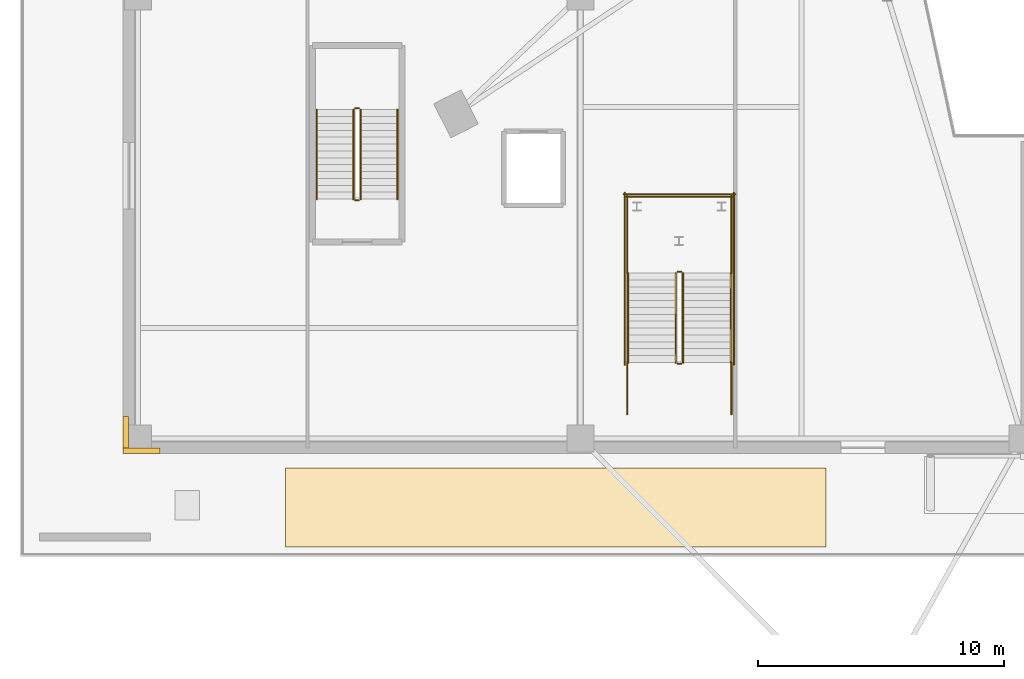
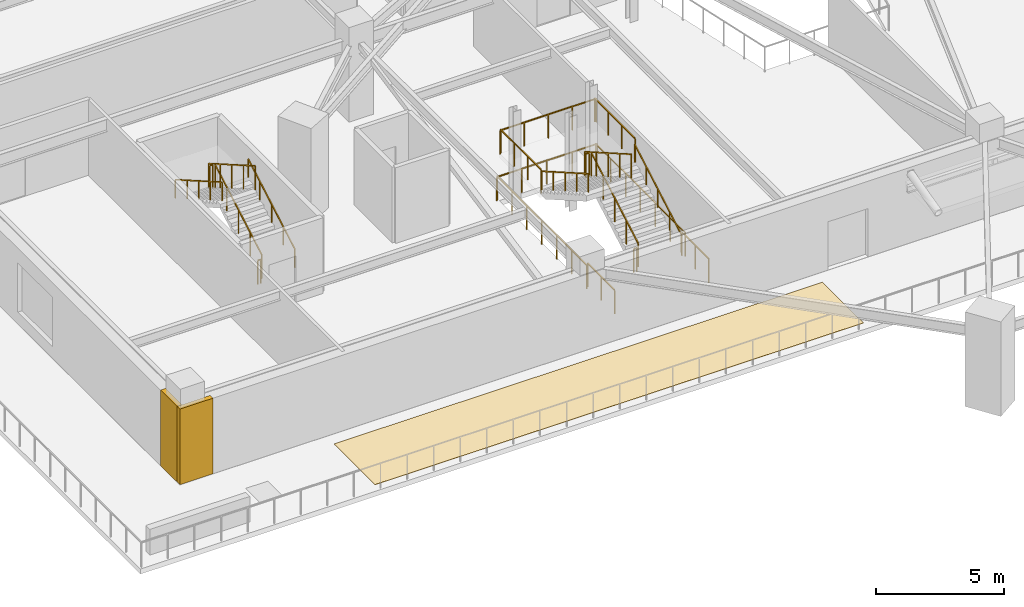
# One storey, part 13 of 19: 20 railings, 3 coverings.
"""IFC4 building model written with IfcOpenShell, lengths in metres."""

import ifcopenshell
import ifcopenshell.guid

model = None  # the IFC model being written
_history = None  # IfcOwnerHistory: only IFC2X3 demands one
_inside = {}  # id of a spatial element -> (the spatial element, [elements in it])
_under = {}  # id of a project, library or spatial element -> (it, [spatial elements below it])
_declared = {}  # id of a project -> (the project, [libraries it declares])
_typed = {}  # id of a type object -> (the type object, [elements of that type])
_made_of = {}  # id of a material, layer set ... -> (it, [elements and type objects made of it])


def new_model(schema):
    """Start an empty IFC model of exactly this schema.

    Asked for "IFC4X3", IfcOpenShell would pick the latest addendum, in which some entities
    have other attributes; the version numbers below select the first issue.
    IFC2X3 requires an IfcOwnerHistory on every rooted entity: one is made here for all.
    """
    global model, _history
    if schema == "IFC4X3":
        model = ifcopenshell.file(schema_version=(4, 3, 0, 0))
    else:
        model = ifcopenshell.file(schema=schema)
    _inside.clear()
    _under.clear()
    _declared.clear()
    _typed.clear()
    _made_of.clear()
    _history = None
    if model.schema == "IFC2X3":
        org = make("IfcOrganization", Name="unknown")
        user = make(
            "IfcPersonAndOrganization",
            ThePerson=make("IfcPerson", FamilyName="unknown"),
            TheOrganization=org,
        )
        app = make(
            "IfcApplication",
            ApplicationDeveloper=org,
            Version="unknown",
            ApplicationFullName="unknown",
            ApplicationIdentifier="unknown",
        )
        _history = make(
            "IfcOwnerHistory",
            OwningUser=user,
            OwningApplication=app,
            ChangeAction="ADDED",
            CreationDate=0,
        )
    return model


def make(cls, **values):
    """One entity of the class cls with the attributes given. An attribute that is None is left unset."""
    return model.create_entity(
        cls, **{name: value for name, value in values.items() if value is not None}
    )


def rooted(cls, **values):
    """An entity with a GlobalId (a new one), such as an element, a storey or a relation."""
    return make(cls, GlobalId=ifcopenshell.guid.new(), OwnerHistory=_history, **values)


def si_unit(unit_type, name, prefix=None):
    """IfcSIUnit, for example si_unit("LENGTHUNIT", "METRE", prefix="MILLI")."""
    return make("IfcSIUnit", UnitType=unit_type, Prefix=prefix, Name=name)


def assignment(units):
    """IfcUnitAssignment: the units of a project."""
    return None if units is None else make("IfcUnitAssignment", Units=units)


def point(xyz):
    """IfcCartesianPoint."""
    return None if xyz is None else make("IfcCartesianPoint", Coordinates=xyz)


def direction(xyz):
    """IfcDirection."""
    return None if xyz is None else make("IfcDirection", DirectionRatios=xyz)


def frame(location, z_axis=None, x_axis=None):
    """IfcAxis2Placement3D, a coordinate frame: its origin and axes. An axis left out is left unset."""
    return make(
        "IfcAxis2Placement3D",
        Location=point(location),
        Axis=direction(z_axis),
        RefDirection=direction(x_axis),
    )


def frame_2d(location, x_axis=None):
    """IfcAxis2Placement2D, a coordinate frame in the plane: its origin and x axis."""
    return make(
        "IfcAxis2Placement2D", Location=point(location), RefDirection=direction(x_axis)
    )


def origin():
    """The frame at (0, 0, 0) with its axes left unset."""
    return frame((0.0, 0.0, 0.0))


def origin_2d():
    """The frame at (0, 0) in the plane with its x axis left unset."""
    return frame_2d((0.0, 0.0))


def place(relative_to, where):
    """IfcLocalPlacement: puts the frame where relative to a parent placement (None: the world)."""
    return make(
        "IfcLocalPlacement", PlacementRelTo=relative_to, RelativePlacement=where
    )


def context(
    kind, dimensions, precision=None, world=None, true_north=None, identifier=None
):
    """IfcGeometricRepresentationContext, for example the 3D "Model" context."""
    return make(
        "IfcGeometricRepresentationContext",
        ContextIdentifier=identifier,
        ContextType=kind,
        CoordinateSpaceDimension=dimensions,
        Precision=precision,
        WorldCoordinateSystem=world,
        TrueNorth=true_north,
    )


def subcontext(parent, identifier, kind, view, scale=None):
    """IfcGeometricRepresentationSubContext, for example "Body" below "Model"."""
    return make(
        "IfcGeometricRepresentationSubContext",
        ContextIdentifier=identifier,
        ContextType=kind,
        ParentContext=parent,
        TargetScale=scale,
        TargetView=view,
    )


def project(units=None, contexts=None):
    """IfcProject with its units and contexts."""
    return rooted(
        "IfcProject",
        Name="project",
        RepresentationContexts=contexts,
        UnitsInContext=assignment(units),
    )


def spatial(cls, under=None, at=None, **own):
    """A site, building, storey or space (cls), placed at a placement, below another one or the project."""
    s = rooted(cls, ObjectPlacement=at, **own)
    if under is not None:
        _under.setdefault(under.id(), (under, []))[1].append(s)
    return s


def polyline(points):
    """IfcPolyline through the points."""
    return make("IfcPolyline", Points=[point(p) for p in points])


def profile(cls, at=None, kind="AREA", **sizes):
    """A parametric profile (cls). Its sizes go by their IFC names, for example OverallWidth=200.0."""
    return make(cls, ProfileType=kind, Position=at, **sizes)


def rectangle(**sizes):
    """IfcRectangleProfileDef."""
    return profile("IfcRectangleProfileDef", **sizes)


def outline(outer, holes=None, kind="AREA"):
    """IfcArbitraryClosedProfileDef: a profile drawn as a closed curve; with holes, ...WithVoids."""
    if holes is None:
        return make("IfcArbitraryClosedProfileDef", ProfileType=kind, OuterCurve=outer)
    return make(
        "IfcArbitraryProfileDefWithVoids",
        ProfileType=kind,
        OuterCurve=outer,
        InnerCurves=holes,
    )


def extrude(swept, where, along, depth):
    """IfcExtrudedAreaSolid: the profile swept, set in the frame where, extruded along a direction by depth."""
    return make(
        "IfcExtrudedAreaSolid",
        SweptArea=swept,
        Position=where,
        ExtrudedDirection=direction(along),
        Depth=depth,
    )


def shape(context_of_items, identifier, shape_type, items):
    """IfcShapeRepresentation: the items that make up one representation, for example the "Body"."""
    return make(
        "IfcShapeRepresentation",
        ContextOfItems=context_of_items,
        RepresentationIdentifier=identifier,
        RepresentationType=shape_type,
        Items=items,
    )


def source(mapping_origin, context_of_items, identifier, shape_type, items):
    """IfcRepresentationMap: a shape defined once, which mapped items show again and again."""
    return make(
        "IfcRepresentationMap",
        MappingOrigin=mapping_origin,
        MappedRepresentation=shape(context_of_items, identifier, shape_type, items),
    )


def transform(
    local_origin,
    x_axis=None,
    y_axis=None,
    z_axis=None,
    scale=None,
    scale2=None,
    scale3=None,
    uniform=True,
):
    """IfcCartesianTransformationOperator3D, or its non-uniform kind. x_axis, y_axis, z_axis: its Axis1, 2, 3."""
    if uniform:
        return make(
            "IfcCartesianTransformationOperator3D",
            Axis1=direction(x_axis),
            Axis2=direction(y_axis),
            LocalOrigin=point(local_origin),
            Scale=scale,
            Axis3=direction(z_axis),
        )
    return make(
        "IfcCartesianTransformationOperator3DnonUniform",
        Axis1=direction(x_axis),
        Axis2=direction(y_axis),
        LocalOrigin=point(local_origin),
        Scale=scale,
        Axis3=direction(z_axis),
        Scale2=scale2,
        Scale3=scale3,
    )


def mapped(mapping_source, mapping_target):
    """IfcMappedItem: shows the shape of a source again, moved by a transform."""
    return make(
        "IfcMappedItem", MappingSource=mapping_source, MappingTarget=mapping_target
    )


def material(Name=None, Category=None):
    """IfcMaterial."""
    return make("IfcMaterial", Name=Name, Category=Category)


def layer(
    of_material, thickness, ventilated=None, Name=None, Category=None, Priority=None
):
    """IfcMaterialLayer: one layer of a wall or slab, of a material (None: an air gap)."""
    return make(
        "IfcMaterialLayer",
        Material=of_material,
        LayerThickness=thickness,
        IsVentilated=ventilated,
        Name=Name,
        Category=Category,
        Priority=Priority,
    )


def layer_set(layers, Name=None):
    """IfcMaterialLayerSet."""
    return make("IfcMaterialLayerSet", MaterialLayers=layers, LayerSetName=Name)


def made_of(thing, what):
    """Note that an element or type object is made of a material, layer set ...; save() writes the relation."""
    if what is not None:
        _made_of.setdefault(what.id(), (what, []))[1].append(thing)
    return thing


def type_object(cls, material=None, **own):
    """A type object (cls), such as IfcWallType, which elements share."""
    return made_of(rooted(cls, **own), material)


def element(
    cls,
    number,
    at=None,
    inside=None,
    cuts=None,
    type_object=None,
    material=None,
    context=None,
    identifier="Body",
    shape_type=None,
    held_by="IfcProductDefinitionShape",
    body=None,
    shapes=None,
    **own,
):
    """One element of the class cls, such as IfcWall. Its Tag is "e" and its number.

    at: its placement. inside: the storey or other place that contains it. cuts: it is an
    opening in that element (IfcRelVoidsElement). A single representation is given by context,
    identifier, shape_type and body (its items); several are given by shapes. held_by: the class
    of the entity that holds the representations. save() writes the other relations.
    """
    e = rooted(cls, Tag="e%d" % number, ObjectPlacement=at, **own)
    if body is not None:
        shapes = [shape(context, identifier, shape_type, body)]
    if shapes is not None:
        e.Representation = make(held_by, Representations=shapes)
    if inside is not None:
        _inside.setdefault(inside.id(), (inside, []))[1].append(e)
    if cuts is not None:
        rooted(
            "IfcRelVoidsElement", RelatingBuildingElement=cuts, RelatedOpeningElement=e
        )
    if type_object is not None:
        _typed.setdefault(type_object.id(), (type_object, []))[1].append(e)
    return made_of(e, material)


def aggregate(whole, parts):
    """IfcRelAggregates: a whole, such as a stair, and the parts it consists of."""
    return rooted("IfcRelAggregates", RelatingObject=whole, RelatedObjects=parts)


def save(model, path):
    """Write the relations noted so far, then the file.

    IfcRelAggregates (storeys below a building ...), IfcRelContainedInSpatialStructure (elements
    in a storey), IfcRelDefinesByType, IfcRelAssociatesMaterial and IfcRelDeclares: one each for
    every whole, place, type object, material and project.
    """
    for whole, parts in _under.values():
        aggregate(whole, parts)
    for where, things in _inside.values():
        rooted(
            "IfcRelContainedInSpatialStructure",
            RelatedElements=things,
            RelatingStructure=where,
        )
    for kind, things in _typed.values():
        rooted("IfcRelDefinesByType", RelatedObjects=things, RelatingType=kind)
    for what, things in _made_of.values():
        rooted("IfcRelAssociatesMaterial", RelatedObjects=things, RelatingMaterial=what)
    for by, libraries in _declared.values():
        rooted("IfcRelDeclares", RelatingContext=by, RelatedDefinitions=libraries)
    model.write(path)


model = new_model("IFC4")

# Units and contexts
model_context = context("Model", 3, precision=1e-05, world=origin(), true_north=direction((0.0, 1.0)))
body_context = subcontext(model_context, "Body", "Model", "MODEL_VIEW")
ifc_project = project(units=[si_unit("LENGTHUNIT", "METRE"), si_unit("AREAUNIT", "SQUARE_METRE"), si_unit("VOLUMEUNIT", "CUBIC_METRE"), si_unit("PLANEANGLEUNIT", "RADIAN"), si_unit("MASSUNIT", "GRAM", prefix="KILO")], contexts=[model_context])

# Site, building, storey
site_placement = place(None, origin())
site = spatial("IfcSite", under=ifc_project, at=site_placement, CompositionType="ELEMENT")
building_placement = place(site_placement, origin())
building = spatial("IfcBuilding", under=site, at=building_placement, Name="Liaohun Quay Tower", CompositionType="ELEMENT")
storey_placement = place(building_placement, frame((0.0, 0.0, 18.89990234375)))
storey = spatial("IfcBuildingStorey", under=building, at=storey_placement, Name="L05", CompositionType="ELEMENT", Elevation=18.89990234375)

# Covering
ifc_material_1 = material(Name="SBS waterproof membrane and extruded polystyrene insulation")
ifc_layer_1 = layer(ifc_material_1, 0.030029296875, Name="SBS waterproof membrane and extruded polystyrene insulation")
ifc_layer_set_1 = layer_set([ifc_layer_1], Name="SBS waterproof membrane and extruded polystyrene insulation")
covering_type_1 = type_object("IfcCoveringType", Name="COV-ROOF-MEM", PredefinedType="ROOFING", material=ifc_layer_set_1)
covering_1_placement = place(storey_placement, frame((0.0, 0.0, -0.02978515625)))
element("IfcCovering", 1, at=covering_1_placement, inside=storey, type_object=covering_type_1, Name="L05 Terrace SBS Waterproofing Membrane", PredefinedType="ROOFING", context=body_context, shape_type="SweptSolid", body=[
    extrude(outline(polyline([(30.0, 19.60009765625), (52.0, 19.60009765625), (52.0, 22.800048828125), (30.0, 22.800048828125), (30.0, 19.60009765625)])), origin(), (0.0, 0.0, 1.0), 0.02978515625),
])

# Railings
ifc_material_2 = material(Name="Laminated safety glass and stainless steel", Category="steel")
railing_type_1 = type_object("IfcRailingType", Name="RLG-GUARD-ATR", PredefinedType="BALUSTRADE", material=ifc_material_2)
railing_1_placement = place(storey_placement, frame((46.179931640625, 27.10009765625, 0.160888671875)))
element("IfcRailing", 2, at=railing_1_placement, inside=storey, type_object=railing_type_1, Name="L05 ST-A stair guard 1", PredefinedType="BALUSTRADE", context=body_context, shape_type="SweptSolid", body=[
    extrude(rectangle(XDim=0.048095703125, YDim=0.048095703125, at=origin_2d()), frame((0.0, 0.0, 1.1259765625), z_axis=(0.0, 0.867300072446, 0.497785681127), x_axis=(-1.0, 0.0, 0.0)), (0.0, 0.0, 1.0), 4.19677734375),
    extrude(rectangle(XDim=0.0419921875, YDim=0.0419921875, at=origin_2d()), origin(), (0.0, 0.0, 1.0), 1.101806640625),
    extrude(rectangle(XDim=0.0419921875, YDim=0.0419921875, at=origin_2d()), frame((0.0, 0.909912109375, 0.522216796875)), (0.0, 0.0, 1.0), 1.101806640625),
    extrude(rectangle(XDim=0.0419921875, YDim=0.0419921875, at=origin_2d()), frame((0.0, 1.81982421875, 1.04443359375)), (0.0, 0.0, 1.0), 1.101806640625),
    extrude(rectangle(XDim=0.0419921875, YDim=0.0419921875, at=origin_2d()), frame((0.0, 2.72998046875, 1.56689453125)), (0.0, 0.0, 1.0), 1.101806640625),
    extrude(rectangle(XDim=0.0419921875, YDim=0.0419921875, at=origin_2d()), frame((0.0, 3.639892578125, 2.089111328125)), (0.0, 0.0, 1.0), 1.101806640625),
])
railing_2_placement = place(storey_placement, frame((46.10009765625, 30.7900390625, 2.25)))
element("IfcRailing", 3, at=railing_2_placement, inside=storey, type_object=railing_type_1, Name="L05 ST-A stair guard 2", PredefinedType="BALUSTRADE", context=body_context, shape_type="SweptSolid", body=[
    extrude(rectangle(XDim=0.048095703125, YDim=0.048095703125, at=origin_2d()), frame((0.0, 0.0, 1.1259765625), z_axis=(-1.0, 0.0, 0.0), x_axis=(0.0, -1.0, 0.0)), (0.0, 0.0, 1.0), 0.14013671875),
    extrude(rectangle(XDim=0.0419921875, YDim=0.0419921875, at=origin_2d()), origin(), (0.0, 0.0, 1.0), 1.101806640625),
    extrude(rectangle(XDim=0.0419921875, YDim=0.0419921875, at=origin_2d()), frame((-0.14013671875, 0.0, 0.0)), (0.0, 0.0, 1.0), 1.101806640625),
])
for number, where, name in (
    (4, (48.14990234375, 30.739990234375, 2.25), "L05 ST-A stair guard 3"),
    (5, (43.909912109375, 30.739990234375, 2.25), "L05 ST-A stair guard 4"),
):
    element("IfcRailing", number, at=place(storey_placement, frame(where)), inside=storey, type_object=railing_type_1, Name=name, PredefinedType="BALUSTRADE", context=body_context, shape_type="SweptSolid", body=[
        extrude(rectangle(XDim=0.048095703125, YDim=0.048095703125, at=origin_2d()), frame((0.0, 0.0, 1.1259765625), z_axis=(0.0, 1.0, 0.0), x_axis=(-1.0, 0.0, 0.0)), (0.0, 0.0, 1.0), 3.159912109375),
        extrude(rectangle(XDim=0.0419921875, YDim=0.0419921875, at=origin_2d()), origin(), (0.0, 0.0, 1.0), 1.101806640625),
        extrude(rectangle(XDim=0.0419921875, YDim=0.0419921875, at=origin_2d()), frame((0.0, 1.05322265625, 0.0)), (0.0, 0.0, 1.0), 1.101806640625),
        extrude(rectangle(XDim=0.0419921875, YDim=0.0419921875, at=origin_2d()), frame((0.0, 2.106689453125, 0.0)), (0.0, 0.0, 1.0), 1.101806640625),
        extrude(rectangle(XDim=0.0419921875, YDim=0.0419921875, at=origin_2d()), frame((0.0, 3.159912109375, 0.0)), (0.0, 0.0, 1.0), 1.101806640625),
    ])
railing_3_placement = place(storey_placement, frame((48.199951171875, 33.85009765625, 2.25)))
element("IfcRailing", 6, at=railing_3_placement, inside=storey, type_object=railing_type_1, Name="L05 ST-A stair guard 5", PredefinedType="BALUSTRADE", context=body_context, shape_type="SweptSolid", body=[
    extrude(rectangle(XDim=0.048095703125, YDim=0.048095703125, at=origin_2d()), frame((0.0, 0.0, 1.1259765625), z_axis=(-1.0, 0.0, 0.0), x_axis=(0.0, -1.0, 0.0)), (0.0, 0.0, 1.0), 4.33984375),
    extrude(rectangle(XDim=0.0419921875, YDim=0.0419921875, at=origin_2d()), origin(), (0.0, 0.0, 1.0), 1.101806640625),
    extrude(rectangle(XDim=0.0419921875, YDim=0.0419921875, at=origin_2d()), frame((-1.0849609375, 0.0, 0.0)), (0.0, 0.0, 1.0), 1.101806640625),
    extrude(rectangle(XDim=0.0419921875, YDim=0.0419921875, at=origin_2d()), frame((-2.169921875, 0.0, 0.0)), (0.0, 0.0, 1.0), 1.101806640625),
    extrude(rectangle(XDim=0.0419921875, YDim=0.0419921875, at=origin_2d()), frame((-3.2548828125, 0.0, 0.0)), (0.0, 0.0, 1.0), 1.101806640625),
    extrude(rectangle(XDim=0.0419921875, YDim=0.0419921875, at=origin_2d()), frame((-4.33984375, 0.0, 0.0)), (0.0, 0.0, 1.0), 1.101806640625),
])
railing_4_placement = place(storey_placement, frame((45.8798828125, 30.739990234375, 2.410888671875)))
element("IfcRailing", 7, at=railing_4_placement, inside=storey, type_object=railing_type_1, Name="L05 ST-A stair guard 6", PredefinedType="BALUSTRADE", context=body_context, shape_type="SweptSolid", body=[
    extrude(rectangle(XDim=0.048095703125, YDim=0.048095703125, at=origin_2d()), frame((0.0, 0.0, 1.1259765625), z_axis=(0.0, -0.867300072446, 0.497785681127), x_axis=(1.0, 0.0, 0.0)), (0.0, 0.0, 1.0), 4.19677734375),
    extrude(rectangle(XDim=0.0419921875, YDim=0.0419921875, at=origin_2d()), origin(), (0.0, 0.0, 1.0), 1.101806640625),
    extrude(rectangle(XDim=0.0419921875, YDim=0.0419921875, at=origin_2d()), frame((0.0, -0.909912109375, 0.522216796875)), (0.0, 0.0, 1.0), 1.101806640625),
    extrude(rectangle(XDim=0.0419921875, YDim=0.0419921875, at=origin_2d()), frame((0.0, -1.81982421875, 1.04443359375)), (0.0, 0.0, 1.0), 1.101806640625),
    extrude(rectangle(XDim=0.0419921875, YDim=0.0419921875, at=origin_2d()), frame((0.0, -2.72998046875, 1.56689453125)), (0.0, 0.0, 1.0), 1.101806640625),
    extrude(rectangle(XDim=0.0419921875, YDim=0.0419921875, at=origin_2d()), frame((0.0, -3.639892578125, 2.089111328125)), (0.0, 0.0, 1.0), 1.101806640625),
])
railing_5_placement = place(storey_placement, frame((46.10009765625, 27.050048828125, 0.0)))
element("IfcRailing", 8, at=railing_5_placement, inside=storey, type_object=railing_type_1, Name="L05 ST-A stair guard 7", PredefinedType="BALUSTRADE", context=body_context, shape_type="SweptSolid", body=[
    extrude(rectangle(XDim=0.048095703125, YDim=0.048095703125, at=origin_2d()), frame((0.0, 0.0, 1.1259765625), z_axis=(-1.0, 0.0, 0.0), x_axis=(0.0, -1.0, 0.0)), (0.0, 0.0, 1.0), 0.14013671875),
    extrude(rectangle(XDim=0.0419921875, YDim=0.0419921875, at=origin_2d()), origin(), (0.0, 0.0, 1.0), 1.101806640625),
    extrude(rectangle(XDim=0.0419921875, YDim=0.0419921875, at=origin_2d()), frame((-0.14013671875, 0.0, 0.0)), (0.0, 0.0, 1.0), 1.101806640625),
])
for number, where, name in (
    (9, (48.14990234375, 25.0, 0.0), "L05 ST-A stair guard 8"),
    (10, (43.909912109375, 25.0, 0.0), "L05 ST-A stair guard 9"),
):
    element("IfcRailing", number, at=place(storey_placement, frame(where)), inside=storey, type_object=railing_type_1, Name=name, PredefinedType="BALUSTRADE", context=body_context, shape_type="SweptSolid", body=[
        extrude(rectangle(XDim=0.048095703125, YDim=0.048095703125, at=origin_2d()), frame((0.0, 0.0, 1.1259765625), z_axis=(0.0, 1.0, 0.0), x_axis=(-1.0, 0.0, 0.0)), (0.0, 0.0, 1.0), 2.10009765625),
        extrude(rectangle(XDim=0.0419921875, YDim=0.0419921875, at=origin_2d()), origin(), (0.0, 0.0, 1.0), 1.101806640625),
        extrude(rectangle(XDim=0.0419921875, YDim=0.0419921875, at=origin_2d()), frame((0.0, 1.050048828125, 0.0)), (0.0, 0.0, 1.0), 1.101806640625),
        extrude(rectangle(XDim=0.0419921875, YDim=0.0419921875, at=origin_2d()), frame((0.0, 2.10009765625, 0.0)), (0.0, 0.0, 1.0), 1.101806640625),
    ])
for number, where, name in (
    (11, (48.25, 27.0, 0.0), "L05 ST-A stair guard 10"),
    (12, (43.81005859375, 27.0, 0.0), "L05 ST-A stair guard 11"),
):
    element("IfcRailing", number, at=place(storey_placement, frame(where)), inside=storey, type_object=railing_type_1, Name=name, PredefinedType="BALUSTRADE", context=body_context, shape_type="SweptSolid", body=[
        extrude(rectangle(XDim=0.048095703125, YDim=0.048095703125, at=origin_2d()), frame((0.0, 0.0, 1.1259765625), z_axis=(0.0, 1.0, 0.0), x_axis=(-1.0, 0.0, 0.0)), (0.0, 0.0, 1.0), 7.0),
        extrude(rectangle(XDim=0.0419921875, YDim=0.0419921875, at=origin_2d()), origin(), (0.0, 0.0, 1.0), 1.101806640625),
        extrude(rectangle(XDim=0.0419921875, YDim=0.0419921875, at=origin_2d()), frame((0.0, 1.166748046875, 0.0)), (0.0, 0.0, 1.0), 1.101806640625),
        extrude(rectangle(XDim=0.0419921875, YDim=0.0419921875, at=origin_2d()), frame((0.0, 2.333251953125, 0.0)), (0.0, 0.0, 1.0), 1.101806640625),
        extrude(rectangle(XDim=0.0419921875, YDim=0.0419921875, at=origin_2d()), frame((0.0, 3.5, 0.0)), (0.0, 0.0, 1.0), 1.101806640625),
        extrude(rectangle(XDim=0.0419921875, YDim=0.0419921875, at=origin_2d()), frame((0.0, 4.666748046875, 0.0)), (0.0, 0.0, 1.0), 1.101806640625),
        extrude(rectangle(XDim=0.0419921875, YDim=0.0419921875, at=origin_2d()), frame((0.0, 5.833251953125, 0.0)), (0.0, 0.0, 1.0), 1.101806640625),
        extrude(rectangle(XDim=0.0419921875, YDim=0.0419921875, at=origin_2d()), frame((0.0, 7.0, 0.0)), (0.0, 0.0, 1.0), 1.101806640625),
    ])
railing_6_placement = place(storey_placement, frame((48.300048828125, 33.949951171875, 0.0)))
element("IfcRailing", 13, at=railing_6_placement, inside=storey, type_object=railing_type_1, Name="L05 ST-A stair guard 12", PredefinedType="BALUSTRADE", context=body_context, shape_type="SweptSolid", body=[
    extrude(rectangle(XDim=0.048095703125, YDim=0.048095703125, at=origin_2d()), frame((0.0, 0.0, 1.1259765625), z_axis=(-1.0, 0.0, 0.0), x_axis=(0.0, -1.0, 0.0)), (0.0, 0.0, 1.0), 4.5400390625),
    extrude(rectangle(XDim=0.0419921875, YDim=0.0419921875, at=origin_2d()), origin(), (0.0, 0.0, 1.0), 1.101806640625),
    extrude(rectangle(XDim=0.0419921875, YDim=0.0419921875, at=origin_2d()), frame((-1.135009765625, 0.0, 0.0)), (0.0, 0.0, 1.0), 1.101806640625),
    extrude(rectangle(XDim=0.0419921875, YDim=0.0419921875, at=origin_2d()), frame((-2.27001953125, 0.0, 0.0)), (0.0, 0.0, 1.0), 1.101806640625),
    extrude(rectangle(XDim=0.0419921875, YDim=0.0419921875, at=origin_2d()), frame((-3.405029296875, 0.0, 0.0)), (0.0, 0.0, 1.0), 1.101806640625),
    extrude(rectangle(XDim=0.0419921875, YDim=0.0419921875, at=origin_2d()), frame((-4.5400390625, 0.0, 0.0)), (0.0, 0.0, 1.0), 1.101806640625),
])
ifc_material_3 = material(Name="Painted tubular steel", Category="steel")
railing_type_2 = type_object("IfcRailingType", Name="RLG-GUARD-STR", PredefinedType="GUARDRAIL", material=ifc_material_3)
railing_7_placement = place(storey_placement, frame((33.070068359375, 33.75, 0.160888671875)))
element("IfcRailing", 14, at=railing_7_placement, inside=storey, type_object=railing_type_2, Name="L05 ST-P1 stair guard 1", PredefinedType="GUARDRAIL", context=body_context, shape_type="SweptSolid", body=[
    extrude(rectangle(XDim=0.048095703125, YDim=0.048095703125, at=origin_2d()), frame((0.0, 0.0, 1.1259765625), z_axis=(0.0, 0.867300072446, 0.497785681127), x_axis=(-1.0, 0.0, 0.0)), (0.0, 0.0, 1.0), 4.19677734375),
    extrude(rectangle(XDim=0.0419921875, YDim=0.0419921875, at=origin_2d()), origin(), (0.0, 0.0, 1.0), 1.101806640625),
    extrude(rectangle(XDim=0.0419921875, YDim=0.0419921875, at=origin_2d()), frame((0.0, 0.909912109375, 0.522216796875)), (0.0, 0.0, 1.0), 1.101806640625),
    extrude(rectangle(XDim=0.0419921875, YDim=0.0419921875, at=origin_2d()), frame((0.0, 1.81982421875, 1.04443359375)), (0.0, 0.0, 1.0), 1.101806640625),
    extrude(rectangle(XDim=0.0419921875, YDim=0.0419921875, at=origin_2d()), frame((0.0, 2.72998046875, 1.56689453125)), (0.0, 0.0, 1.0), 1.101806640625),
    extrude(rectangle(XDim=0.0419921875, YDim=0.0419921875, at=origin_2d()), frame((0.0, 3.639892578125, 2.089111328125)), (0.0, 0.0, 1.0), 1.101806640625),
])
railing_8_placement = place(storey_placement, frame((32.989990234375, 37.43994140625, 2.25)))
element("IfcRailing", 15, at=railing_8_placement, inside=storey, type_object=railing_type_2, Name="L05 ST-P1 stair guard 2", PredefinedType="GUARDRAIL", context=body_context, shape_type="SweptSolid", body=[
    extrude(rectangle(XDim=0.048095703125, YDim=0.048095703125, at=origin_2d()), frame((0.0, 0.0, 1.1259765625), z_axis=(-1.0, 0.0, 0.0), x_axis=(0.0, -1.0, 0.0)), (0.0, 0.0, 1.0), 0.139892578125),
    extrude(rectangle(XDim=0.0419921875, YDim=0.0419921875, at=origin_2d()), origin(), (0.0, 0.0, 1.0), 1.101806640625),
    extrude(rectangle(XDim=0.0419921875, YDim=0.0419921875, at=origin_2d()), frame((-0.139892578125, 0.0, 0.0)), (0.0, 0.0, 1.0), 1.101806640625),
])
railing_9_placement = place(storey_placement, frame((32.77001953125, 37.389892578125, 2.410888671875)))
element("IfcRailing", 16, at=railing_9_placement, inside=storey, type_object=railing_type_2, Name="L05 ST-P1 stair guard 3", PredefinedType="GUARDRAIL", context=body_context, shape_type="SweptSolid", body=[
    extrude(rectangle(XDim=0.048095703125, YDim=0.048095703125, at=origin_2d()), frame((0.0, 0.0, 1.1259765625), z_axis=(0.0, -0.867300072446, 0.497785681127), x_axis=(1.0, 0.0, 0.0)), (0.0, 0.0, 1.0), 4.19677734375),
    extrude(rectangle(XDim=0.0419921875, YDim=0.0419921875, at=origin_2d()), origin(), (0.0, 0.0, 1.0), 1.101806640625),
    extrude(rectangle(XDim=0.0419921875, YDim=0.0419921875, at=origin_2d()), frame((0.0, -0.909912109375, 0.522216796875)), (0.0, 0.0, 1.0), 1.101806640625),
    extrude(rectangle(XDim=0.0419921875, YDim=0.0419921875, at=origin_2d()), frame((0.0, -1.81982421875, 1.04443359375)), (0.0, 0.0, 1.0), 1.101806640625),
    extrude(rectangle(XDim=0.0419921875, YDim=0.0419921875, at=origin_2d()), frame((0.0, -2.72998046875, 1.56689453125)), (0.0, 0.0, 1.0), 1.101806640625),
    extrude(rectangle(XDim=0.0419921875, YDim=0.0419921875, at=origin_2d()), frame((0.0, -3.639892578125, 2.089111328125)), (0.0, 0.0, 1.0), 1.101806640625),
])
railing_10_placement = place(storey_placement, frame((32.989990234375, 33.699951171875, 0.0)))
element("IfcRailing", 17, at=railing_10_placement, inside=storey, type_object=railing_type_2, Name="L05 ST-P1 stair guard 4", PredefinedType="GUARDRAIL", context=body_context, shape_type="SweptSolid", body=[
    extrude(rectangle(XDim=0.048095703125, YDim=0.048095703125, at=origin_2d()), frame((0.0, 0.0, 1.1259765625), z_axis=(-1.0, 0.0, 0.0), x_axis=(0.0, -1.0, 0.0)), (0.0, 0.0, 1.0), 0.139892578125),
    extrude(rectangle(XDim=0.0419921875, YDim=0.0419921875, at=origin_2d()), origin(), (0.0, 0.0, 1.0), 1.101806640625),
    extrude(rectangle(XDim=0.0419921875, YDim=0.0419921875, at=origin_2d()), frame((-0.139892578125, 0.0, 0.0)), (0.0, 0.0, 1.0), 1.101806640625),
])
ifc_material_4 = material(Name="Brushed stainless steel", Category="steel")
railing_type_3 = type_object("IfcRailingType", Name="RLG-HND-STR", PredefinedType="HANDRAIL", material=ifc_material_4)
railing_11_placement = place(storey_placement, frame((34.56005859375, 33.75, 0.160888671875)))
element("IfcRailing", 18, at=railing_11_placement, inside=storey, type_object=railing_type_3, Name="L05 ST-P1 stair handrail 1", PredefinedType="HANDRAIL", context=body_context, shape_type="SweptSolid", body=[
    extrude(rectangle(XDim=0.048095703125, YDim=0.048095703125, at=origin_2d()), frame((0.0, 0.0, 0.8759765625), z_axis=(0.0, 0.867300072446, 0.497785681127), x_axis=(-1.0, 0.0, 0.0)), (0.0, 0.0, 1.0), 4.19677734375),
    extrude(rectangle(XDim=0.0419921875, YDim=0.0419921875, at=origin_2d()), origin(), (0.0, 0.0, 1.0), 0.851806640625),
    extrude(rectangle(XDim=0.0419921875, YDim=0.0419921875, at=origin_2d()), frame((0.0, 0.909912109375, 0.522216796875)), (0.0, 0.0, 1.0), 0.851806640625),
    extrude(rectangle(XDim=0.0419921875, YDim=0.0419921875, at=origin_2d()), frame((0.0, 1.81982421875, 1.04443359375)), (0.0, 0.0, 1.0), 0.851806640625),
    extrude(rectangle(XDim=0.0419921875, YDim=0.0419921875, at=origin_2d()), frame((0.0, 2.72998046875, 1.56689453125)), (0.0, 0.0, 1.0), 0.851806640625),
    extrude(rectangle(XDim=0.0419921875, YDim=0.0419921875, at=origin_2d()), frame((0.0, 3.639892578125, 2.089111328125)), (0.0, 0.0, 1.0), 0.851806640625),
])
railing_12_placement = place(storey_placement, frame((31.280029296875, 37.389892578125, 2.410888671875)))
element("IfcRailing", 19, at=railing_12_placement, inside=storey, type_object=railing_type_3, Name="L05 ST-P1 stair handrail 2", PredefinedType="HANDRAIL", context=body_context, shape_type="SweptSolid", body=[
    extrude(rectangle(XDim=0.048095703125, YDim=0.048095703125, at=origin_2d()), frame((0.0, 0.0, 0.8759765625), z_axis=(0.0, -0.867300072446, 0.497785681127), x_axis=(1.0, 0.0, 0.0)), (0.0, 0.0, 1.0), 4.19677734375),
    extrude(rectangle(XDim=0.0419921875, YDim=0.0419921875, at=origin_2d()), origin(), (0.0, 0.0, 1.0), 0.851806640625),
    extrude(rectangle(XDim=0.0419921875, YDim=0.0419921875, at=origin_2d()), frame((0.0, -0.909912109375, 0.522216796875)), (0.0, 0.0, 1.0), 0.851806640625),
    extrude(rectangle(XDim=0.0419921875, YDim=0.0419921875, at=origin_2d()), frame((0.0, -1.81982421875, 1.04443359375)), (0.0, 0.0, 1.0), 0.851806640625),
    extrude(rectangle(XDim=0.0419921875, YDim=0.0419921875, at=origin_2d()), frame((0.0, -2.72998046875, 1.56689453125)), (0.0, 0.0, 1.0), 0.851806640625),
    extrude(rectangle(XDim=0.0419921875, YDim=0.0419921875, at=origin_2d()), frame((0.0, -3.639892578125, 2.089111328125)), (0.0, 0.0, 1.0), 0.851806640625),
])
railing_13_placement = place(storey_placement, frame((48.1201171875, 27.10009765625, 0.160888671875)))
element("IfcRailing", 20, at=railing_13_placement, inside=storey, type_object=railing_type_3, Name="L05 ST-A stair handrail 1", PredefinedType="HANDRAIL", context=body_context, shape_type="SweptSolid", body=[
    extrude(rectangle(XDim=0.048095703125, YDim=0.048095703125, at=origin_2d()), frame((0.0, 0.0, 0.8759765625), z_axis=(0.0, 0.867300072446, 0.497785681127), x_axis=(-1.0, 0.0, 0.0)), (0.0, 0.0, 1.0), 4.19677734375),
    extrude(rectangle(XDim=0.0419921875, YDim=0.0419921875, at=origin_2d()), origin(), (0.0, 0.0, 1.0), 0.851806640625),
    extrude(rectangle(XDim=0.0419921875, YDim=0.0419921875, at=origin_2d()), frame((0.0, 0.909912109375, 0.522216796875)), (0.0, 0.0, 1.0), 0.851806640625),
    extrude(rectangle(XDim=0.0419921875, YDim=0.0419921875, at=origin_2d()), frame((0.0, 1.81982421875, 1.04443359375)), (0.0, 0.0, 1.0), 0.851806640625),
    extrude(rectangle(XDim=0.0419921875, YDim=0.0419921875, at=origin_2d()), frame((0.0, 2.72998046875, 1.56689453125)), (0.0, 0.0, 1.0), 0.851806640625),
    extrude(rectangle(XDim=0.0419921875, YDim=0.0419921875, at=origin_2d()), frame((0.0, 3.639892578125, 2.089111328125)), (0.0, 0.0, 1.0), 0.851806640625),
])
railing_14_placement = place(storey_placement, frame((43.93994140625, 30.739990234375, 2.410888671875)))
element("IfcRailing", 21, at=railing_14_placement, inside=storey, type_object=railing_type_3, Name="L05 ST-A stair handrail 2", PredefinedType="HANDRAIL", context=body_context, shape_type="SweptSolid", body=[
    extrude(rectangle(XDim=0.048095703125, YDim=0.048095703125, at=origin_2d()), frame((0.0, 0.0, 0.8759765625), z_axis=(0.0, -0.867300072446, 0.497785681127), x_axis=(1.0, 0.0, 0.0)), (0.0, 0.0, 1.0), 4.19677734375),
    extrude(rectangle(XDim=0.0419921875, YDim=0.0419921875, at=origin_2d()), origin(), (0.0, 0.0, 1.0), 0.851806640625),
    extrude(rectangle(XDim=0.0419921875, YDim=0.0419921875, at=origin_2d()), frame((0.0, -0.909912109375, 0.522216796875)), (0.0, 0.0, 1.0), 0.851806640625),
    extrude(rectangle(XDim=0.0419921875, YDim=0.0419921875, at=origin_2d()), frame((0.0, -1.81982421875, 1.04443359375)), (0.0, 0.0, 1.0), 0.851806640625),
    extrude(rectangle(XDim=0.0419921875, YDim=0.0419921875, at=origin_2d()), frame((0.0, -2.72998046875, 1.56689453125)), (0.0, 0.0, 1.0), 0.851806640625),
    extrude(rectangle(XDim=0.0419921875, YDim=0.0419921875, at=origin_2d()), frame((0.0, -3.639892578125, 2.089111328125)), (0.0, 0.0, 1.0), 0.851806640625),
])

# Coverings
ifc_material_5 = material(Name="Bush-hammered Liaodong grey granite stone cladding", Category="masonry")
ifc_layer_2 = layer(ifc_material_5, 0.0400390625, Name="Bush-hammered Liaodong grey granite stone cladding", Category="masonry")
ifc_layer_set_2 = layer_set([ifc_layer_2], Name="Bush-hammered Liaodong grey granite stone cladding")
covering_type_2 = type_object("IfcCoveringType", Name="COV-EXT-CLD", PredefinedType="CLADDING", material=ifc_layer_set_2)
shared_shape_1 = source(origin(), body_context, "Body", "SweptSolid", [
    extrude(rectangle(XDim=1.5, YDim=0.219970703125, at=origin_2d()), origin(), (0.0, 0.0, 1.0), 3.60009765625),
])
covering_2_placement = place(storey_placement, frame((24.14990234375, 23.510009765625, 0.0), z_axis=(0.0, 0.0, 1.0), x_axis=(1.0, 0.0, 0.0)))
element("IfcCovering", 22, at=covering_2_placement, inside=storey, type_object=covering_type_2, Name="L05 Corner Granite Pier Cladding SW-X", PredefinedType="CLADDING", context=body_context, shape_type="MappedRepresentation", body=[
    mapped(shared_shape_1, transform((0.0, 0.0, 0.0), x_axis=(1.0, 0.0, 0.0), y_axis=(0.0, 1.0, 0.0), z_axis=(0.0, 0.0, 1.0), scale=1.0)),
])
shared_shape_2 = source(origin(), body_context, "Body", "SweptSolid", [
    extrude(rectangle(XDim=0.219970703125, YDim=1.280029296875, at=origin_2d()), origin(), (0.0, 0.0, 1.0), 3.60009765625),
])
covering_3_placement = place(storey_placement, frame((23.510009765625, 24.260009765625, 0.0), z_axis=(0.0, 0.0, 1.0), x_axis=(1.0, 0.0, 0.0)))
element("IfcCovering", 23, at=covering_3_placement, inside=storey, type_object=covering_type_2, Name="L05 Corner Granite Pier Cladding SW-Y", PredefinedType="CLADDING", context=body_context, shape_type="MappedRepresentation", body=[
    mapped(shared_shape_2, transform((0.0, 0.0, 0.0), x_axis=(1.0, 0.0, 0.0), y_axis=(0.0, 1.0, 0.0), z_axis=(0.0, 0.0, 1.0), scale=1.0)),
])

save(model, "model.ifc")
